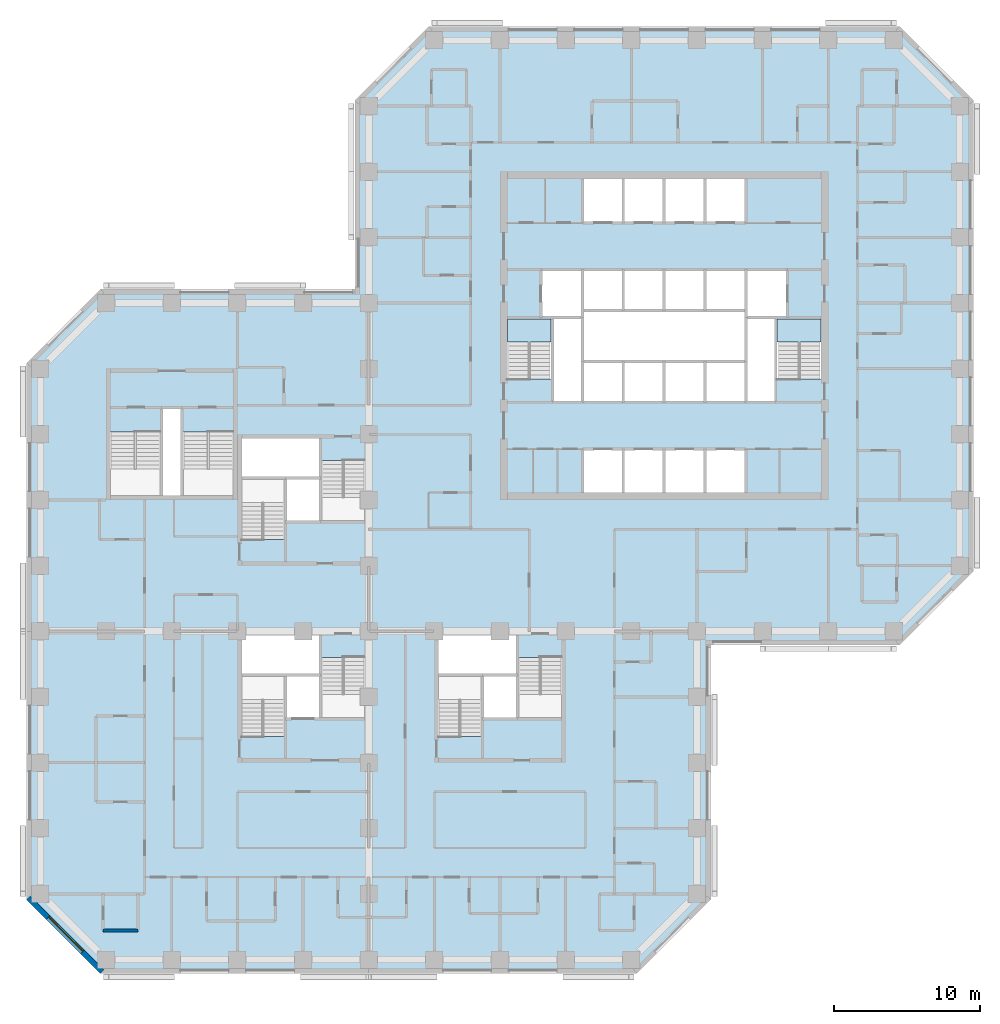
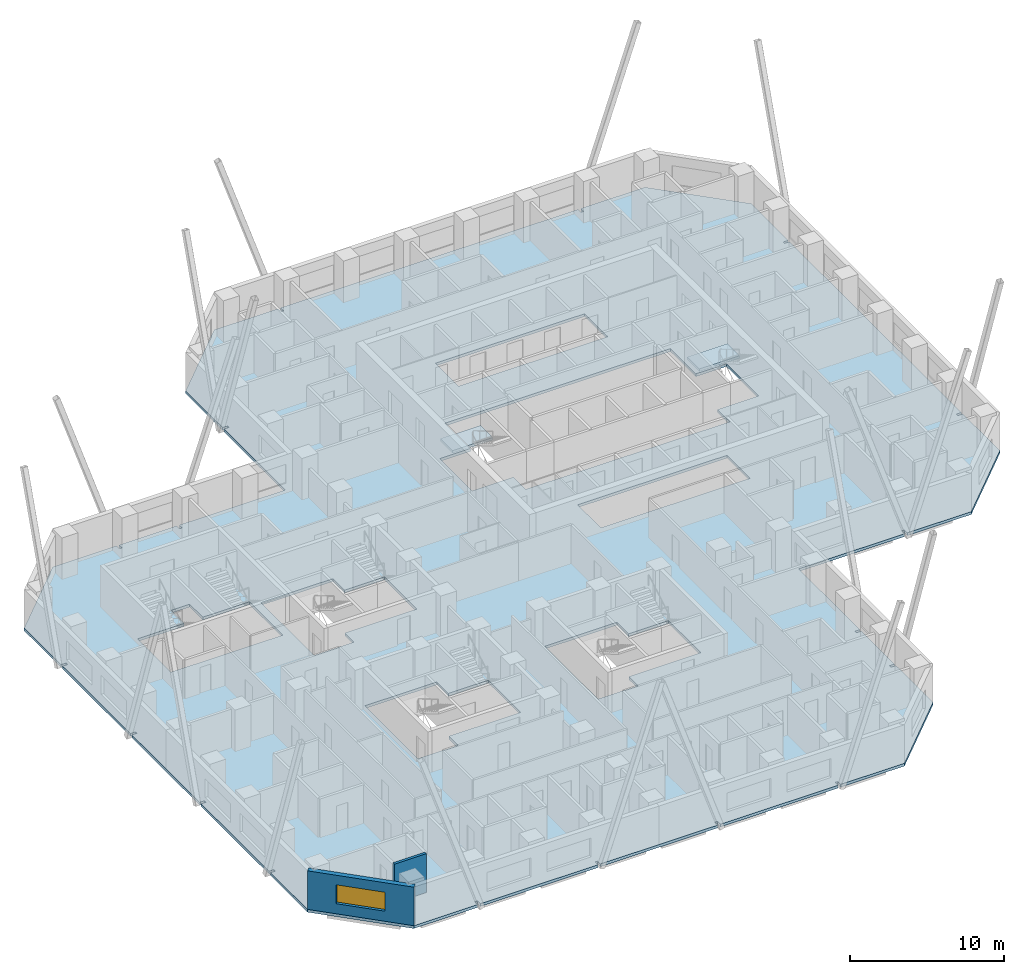
# One storey, part 2 of 13: 3 slabs, 2 walls, 1 window, 1 opening, 2 elements without a shape of their own.
"""IFC4 building model written with IfcOpenShell, lengths in metres."""

import ifcopenshell
import ifcopenshell.guid

model = None  # the IFC model being written
_history = None  # IfcOwnerHistory: only IFC2X3 demands one
_inside = {}  # id of a spatial element -> (the spatial element, [elements in it])
_under = {}  # id of a project, library or spatial element -> (it, [spatial elements below it])
_declared = {}  # id of a project -> (the project, [libraries it declares])
_typed = {}  # id of a type object -> (the type object, [elements of that type])
_made_of = {}  # id of a material, layer set ... -> (it, [elements and type objects made of it])


def new_model(schema):
    """Start an empty IFC model of exactly this schema.

    Asked for "IFC4X3", IfcOpenShell would pick the latest addendum, in which some entities
    have other attributes; the version numbers below select the first issue.
    IFC2X3 requires an IfcOwnerHistory on every rooted entity: one is made here for all.
    """
    global model, _history
    if schema == "IFC4X3":
        model = ifcopenshell.file(schema_version=(4, 3, 0, 0))
    else:
        model = ifcopenshell.file(schema=schema)
    _inside.clear()
    _under.clear()
    _declared.clear()
    _typed.clear()
    _made_of.clear()
    _history = None
    if model.schema == "IFC2X3":
        org = make("IfcOrganization", Name="unknown")
        user = make(
            "IfcPersonAndOrganization",
            ThePerson=make("IfcPerson", FamilyName="unknown"),
            TheOrganization=org,
        )
        app = make(
            "IfcApplication",
            ApplicationDeveloper=org,
            Version="unknown",
            ApplicationFullName="unknown",
            ApplicationIdentifier="unknown",
        )
        _history = make(
            "IfcOwnerHistory",
            OwningUser=user,
            OwningApplication=app,
            ChangeAction="ADDED",
            CreationDate=0,
        )
    return model


def make(cls, **values):
    """One entity of the class cls with the attributes given. An attribute that is None is left unset."""
    return model.create_entity(
        cls, **{name: value for name, value in values.items() if value is not None}
    )


def rooted(cls, **values):
    """An entity with a GlobalId (a new one), such as an element, a storey or a relation."""
    return make(cls, GlobalId=ifcopenshell.guid.new(), OwnerHistory=_history, **values)


def si_unit(unit_type, name, prefix=None):
    """IfcSIUnit, for example si_unit("LENGTHUNIT", "METRE", prefix="MILLI")."""
    return make("IfcSIUnit", UnitType=unit_type, Prefix=prefix, Name=name)


def assignment(units):
    """IfcUnitAssignment: the units of a project."""
    return None if units is None else make("IfcUnitAssignment", Units=units)


def point(xyz):
    """IfcCartesianPoint."""
    return None if xyz is None else make("IfcCartesianPoint", Coordinates=xyz)


def direction(xyz):
    """IfcDirection."""
    return None if xyz is None else make("IfcDirection", DirectionRatios=xyz)


def frame(location, z_axis=None, x_axis=None):
    """IfcAxis2Placement3D, a coordinate frame: its origin and axes. An axis left out is left unset."""
    return make(
        "IfcAxis2Placement3D",
        Location=point(location),
        Axis=direction(z_axis),
        RefDirection=direction(x_axis),
    )


def frame_2d(location, x_axis=None):
    """IfcAxis2Placement2D, a coordinate frame in the plane: its origin and x axis."""
    return make(
        "IfcAxis2Placement2D", Location=point(location), RefDirection=direction(x_axis)
    )


def origin():
    """The frame at (0, 0, 0) with its axes left unset."""
    return frame((0.0, 0.0, 0.0))


def place(relative_to, where):
    """IfcLocalPlacement: puts the frame where relative to a parent placement (None: the world)."""
    return make(
        "IfcLocalPlacement", PlacementRelTo=relative_to, RelativePlacement=where
    )


def context(
    kind, dimensions, precision=None, world=None, true_north=None, identifier=None
):
    """IfcGeometricRepresentationContext, for example the 3D "Model" context."""
    return make(
        "IfcGeometricRepresentationContext",
        ContextIdentifier=identifier,
        ContextType=kind,
        CoordinateSpaceDimension=dimensions,
        Precision=precision,
        WorldCoordinateSystem=world,
        TrueNorth=true_north,
    )


def subcontext(parent, identifier, kind, view, scale=None):
    """IfcGeometricRepresentationSubContext, for example "Body" below "Model"."""
    return make(
        "IfcGeometricRepresentationSubContext",
        ContextIdentifier=identifier,
        ContextType=kind,
        ParentContext=parent,
        TargetScale=scale,
        TargetView=view,
    )


def project(units=None, contexts=None):
    """IfcProject with its units and contexts."""
    return rooted(
        "IfcProject",
        Name="project",
        RepresentationContexts=contexts,
        UnitsInContext=assignment(units),
    )


def spatial(cls, under=None, at=None, **own):
    """A site, building, storey or space (cls), placed at a placement, below another one or the project."""
    s = rooted(cls, ObjectPlacement=at, **own)
    if under is not None:
        _under.setdefault(under.id(), (under, []))[1].append(s)
    return s


def polyline(points):
    """IfcPolyline through the points."""
    return make("IfcPolyline", Points=[point(p) for p in points])


def profile(cls, at=None, kind="AREA", **sizes):
    """A parametric profile (cls). Its sizes go by their IFC names, for example OverallWidth=200.0."""
    return make(cls, ProfileType=kind, Position=at, **sizes)


def rectangle(**sizes):
    """IfcRectangleProfileDef."""
    return profile("IfcRectangleProfileDef", **sizes)


def outline(outer, holes=None, kind="AREA"):
    """IfcArbitraryClosedProfileDef: a profile drawn as a closed curve; with holes, ...WithVoids."""
    if holes is None:
        return make("IfcArbitraryClosedProfileDef", ProfileType=kind, OuterCurve=outer)
    return make(
        "IfcArbitraryProfileDefWithVoids",
        ProfileType=kind,
        OuterCurve=outer,
        InnerCurves=holes,
    )


def extrude(swept, where, along, depth):
    """IfcExtrudedAreaSolid: the profile swept, set in the frame where, extruded along a direction by depth."""
    return make(
        "IfcExtrudedAreaSolid",
        SweptArea=swept,
        Position=where,
        ExtrudedDirection=direction(along),
        Depth=depth,
    )


def shape(context_of_items, identifier, shape_type, items):
    """IfcShapeRepresentation: the items that make up one representation, for example the "Body"."""
    return make(
        "IfcShapeRepresentation",
        ContextOfItems=context_of_items,
        RepresentationIdentifier=identifier,
        RepresentationType=shape_type,
        Items=items,
    )


def material(Name=None, Category=None):
    """IfcMaterial."""
    return make("IfcMaterial", Name=Name, Category=Category)


def layer(
    of_material, thickness, ventilated=None, Name=None, Category=None, Priority=None
):
    """IfcMaterialLayer: one layer of a wall or slab, of a material (None: an air gap)."""
    return make(
        "IfcMaterialLayer",
        Material=of_material,
        LayerThickness=thickness,
        IsVentilated=ventilated,
        Name=Name,
        Category=Category,
        Priority=Priority,
    )


def layer_set(layers, Name=None):
    """IfcMaterialLayerSet."""
    return make("IfcMaterialLayerSet", MaterialLayers=layers, LayerSetName=Name)


def constituent(of_material, Name=None, Category=None, fraction=None):
    """IfcMaterialConstituent: one of the materials an element consists of."""
    return make(
        "IfcMaterialConstituent",
        Name=Name,
        Material=of_material,
        Fraction=fraction,
        Category=Category,
    )


def constituent_set(constituents=None, Name=None):
    """IfcMaterialConstituentSet."""
    return make(
        "IfcMaterialConstituentSet", Name=Name, MaterialConstituents=constituents
    )


def made_of(thing, what):
    """Note that an element or type object is made of a material, layer set ...; save() writes the relation."""
    if what is not None:
        _made_of.setdefault(what.id(), (what, []))[1].append(thing)
    return thing


def type_object(cls, material=None, **own):
    """A type object (cls), such as IfcWallType, which elements share."""
    return made_of(rooted(cls, **own), material)


def element(
    cls,
    number,
    at=None,
    inside=None,
    cuts=None,
    type_object=None,
    material=None,
    context=None,
    identifier="Body",
    shape_type=None,
    held_by="IfcProductDefinitionShape",
    body=None,
    shapes=None,
    **own,
):
    """One element of the class cls, such as IfcWall. Its Tag is "e" and its number.

    at: its placement. inside: the storey or other place that contains it. cuts: it is an
    opening in that element (IfcRelVoidsElement). A single representation is given by context,
    identifier, shape_type and body (its items); several are given by shapes. held_by: the class
    of the entity that holds the representations. save() writes the other relations.
    """
    e = rooted(cls, Tag="e%d" % number, ObjectPlacement=at, **own)
    if body is not None:
        shapes = [shape(context, identifier, shape_type, body)]
    if shapes is not None:
        e.Representation = make(held_by, Representations=shapes)
    if inside is not None:
        _inside.setdefault(inside.id(), (inside, []))[1].append(e)
    if cuts is not None:
        rooted(
            "IfcRelVoidsElement", RelatingBuildingElement=cuts, RelatedOpeningElement=e
        )
    if type_object is not None:
        _typed.setdefault(type_object.id(), (type_object, []))[1].append(e)
    return made_of(e, material)


def fill(opening, filler):
    """IfcRelFillsElement: the door or window that sits in an opening."""
    return rooted(
        "IfcRelFillsElement",
        RelatingOpeningElement=opening,
        RelatedBuildingElement=filler,
    )


def aggregate(whole, parts):
    """IfcRelAggregates: a whole, such as a stair, and the parts it consists of."""
    return rooted("IfcRelAggregates", RelatingObject=whole, RelatedObjects=parts)


def save(model, path):
    """Write the relations noted so far, then the file.

    IfcRelAggregates (storeys below a building ...), IfcRelContainedInSpatialStructure (elements
    in a storey), IfcRelDefinesByType, IfcRelAssociatesMaterial and IfcRelDeclares: one each for
    every whole, place, type object, material and project.
    """
    for whole, parts in _under.values():
        aggregate(whole, parts)
    for where, things in _inside.values():
        rooted(
            "IfcRelContainedInSpatialStructure",
            RelatedElements=things,
            RelatingStructure=where,
        )
    for kind, things in _typed.values():
        rooted("IfcRelDefinesByType", RelatedObjects=things, RelatingType=kind)
    for what, things in _made_of.values():
        rooted("IfcRelAssociatesMaterial", RelatedObjects=things, RelatingMaterial=what)
    for by, libraries in _declared.values():
        rooted("IfcRelDeclares", RelatingContext=by, RelatedDefinitions=libraries)
    model.write(path)


model = new_model("IFC4")

# Units and contexts
model_context = context("Model", 3, precision=1e-05, world=origin(), true_north=direction((0.0, 1.0)))
body_context = subcontext(model_context, "Body", "Model", "MODEL_VIEW")
ifc_project = project(units=[si_unit("LENGTHUNIT", "METRE"), si_unit("AREAUNIT", "SQUARE_METRE"), si_unit("VOLUMEUNIT", "CUBIC_METRE"), si_unit("PLANEANGLEUNIT", "RADIAN"), si_unit("MASSUNIT", "GRAM", prefix="KILO")], contexts=[model_context])

# Site, building, storey
site_placement = place(None, origin())
site = spatial("IfcSite", under=ifc_project, at=site_placement, CompositionType="ELEMENT")
building_placement = place(site_placement, origin())
building = spatial("IfcBuilding", under=site, at=building_placement, Name="Quoin Convention Tower", CompositionType="ELEMENT")
storey_placement = place(building_placement, frame((0.0, 0.0, 52.800048828125)))
storey = spatial("IfcBuildingStorey", under=building, at=storey_placement, Name="L13", CompositionType="ELEMENT", Elevation=52.800048828125)

# Slab
ifc_material_1 = material(Name="Concrete C50", Category="concrete")
ifc_layer_1 = layer(ifc_material_1, 0.219970703125)
ifc_layer_set_1 = layer_set([ifc_layer_1], Name="Concrete C50")
slab_type_1 = type_object("IfcSlabType", Name="RC SLAB 220 C50", PredefinedType="FLOOR", material=ifc_layer_set_1)
slab_1_placement = place(storey_placement, frame((0.0, 0.0, -0.219970703125)))
element("IfcSlab", 1, at=slab_1_placement, inside=storey, type_object=slab_type_1, Name="slb-L13", PredefinedType="FLOOR", context=body_context, shape_type="SweptSolid", body=[
    extrude(outline(polyline([(17.6064453125, 63.949951171875), (22.405029296875, 63.949951171875), (22.405029296875, 63.580078125), (22.594970703125, 63.580078125), (22.594970703125, 63.949951171875), (26.905029296875, 63.949951171875), (26.905029296875, 63.580078125), (27.094970703125, 63.580078125), (27.094970703125, 63.949951171875), (35.050048828125, 63.949951171875), (35.050048828125, 71.905029296875), (35.419921875, 71.905029296875), (35.419921875, 72.094970703125), (35.050048828125, 72.094970703125), (35.050048828125, 76.8935546875), (40.1064453125, 81.949951171875), (44.905029296875, 81.949951171875), (44.905029296875, 81.580078125), (45.094970703125, 81.580078125), (45.094970703125, 81.949951171875), (67.405029296875, 81.949951171875), (67.405029296875, 81.580078125), (67.594970703125, 81.580078125), (67.594970703125, 81.949951171875), (72.3935546875, 81.949951171875), (77.449951171875, 76.8935546875), (77.449951171875, 72.094970703125), (77.080078125, 72.094970703125), (77.080078125, 71.905029296875), (77.449951171875, 71.905029296875), (77.449951171875, 49.594970703125), (77.080078125, 49.594970703125), (77.080078125, 49.405029296875), (77.449951171875, 49.405029296875), (77.449951171875, 44.6064453125), (72.3935546875, 39.550048828125), (67.594970703125, 39.550048828125), (67.594970703125, 39.919921875), (67.405029296875, 39.919921875), (67.405029296875, 39.550048828125), (59.449951171875, 39.550048828125), (59.449951171875, 31.594970703125), (59.080078125, 31.594970703125), (59.080078125, 31.405029296875), (59.449951171875, 31.405029296875), (59.449951171875, 27.094970703125), (59.080078125, 27.094970703125), (59.080078125, 26.905029296875), (59.449951171875, 26.905029296875), (59.449951171875, 22.1064453125), (54.3935546875, 17.050048828125), (49.594970703125, 17.050048828125), (49.594970703125, 17.419921875), (49.405029296875, 17.419921875), (49.405029296875, 17.050048828125), (40.594970703125, 17.050048828125), (40.594970703125, 17.419921875), (40.405029296875, 17.419921875), (40.405029296875, 17.050048828125), (31.594970703125, 17.050048828125), (31.594970703125, 17.419921875), (31.405029296875, 17.419921875), (31.405029296875, 17.050048828125), (22.594970703125, 17.050048828125), (22.594970703125, 17.419921875), (22.405029296875, 17.419921875), (22.405029296875, 17.050048828125), (17.6064453125, 17.050048828125), (12.550048828125, 22.1064453125), (12.550048828125, 26.905029296875), (12.919921875, 26.905029296875), (12.919921875, 27.094970703125), (12.550048828125, 27.094970703125), (12.550048828125, 35.905029296875), (12.919921875, 35.905029296875), (12.919921875, 36.094970703125), (12.550048828125, 36.094970703125), (12.550048828125, 44.905029296875), (12.919921875, 44.905029296875), (12.919921875, 45.094970703125), (12.550048828125, 45.094970703125), (12.550048828125, 53.905029296875), (12.919921875, 53.905029296875), (12.919921875, 54.094970703125), (12.550048828125, 54.094970703125), (12.550048828125, 58.8935546875), (17.6064453125, 63.949951171875)]), holes=[polyline([(30.300048828125, 34.5), (32.699951171875, 34.5), (35.699951171875, 34.5), (35.699951171875, 38.699462890625), (32.699951171875, 38.699462890625), (32.699951171875, 40.199951171875), (27.300048828125, 40.199951171875), (27.300048828125, 37.5), (27.300048828125, 33.300537109375), (30.300048828125, 33.300537109375), (30.300048828125, 34.5)]), polyline([(43.800048828125, 34.5), (46.199951171875, 34.5), (49.199951171875, 34.5), (49.199951171875, 38.699462890625), (46.199951171875, 38.699462890625), (46.199951171875, 40.199951171875), (40.800048828125, 40.199951171875), (40.800048828125, 37.5), (40.800048828125, 33.300537109375), (43.800048828125, 33.300537109375), (43.800048828125, 34.5)]), polyline([(30.300048828125, 46.800537109375), (30.300048828125, 48.0), (32.699951171875, 48.0), (35.699951171875, 48.0), (35.699951171875, 52.199462890625), (32.699951171875, 52.199462890625), (32.699951171875, 53.699951171875), (27.300048828125, 53.699951171875), (27.300048828125, 51.0), (27.300048828125, 46.800537109375), (30.300048828125, 46.800537109375)]), polyline([(56.25, 50.0), (59.050048828125, 50.0), (61.85009765625, 50.0), (61.85009765625, 53.0), (59.050048828125, 53.0), (56.25, 53.0), (53.449951171875, 53.0), (50.64990234375, 53.0), (50.64990234375, 50.0), (53.449951171875, 50.0), (56.25, 50.0)]), polyline([(26.699951171875, 49.800048828125), (26.699951171875, 54.1494140625), (23.199951171875, 54.1494140625), (23.199951171875, 55.85009765625), (21.800048828125, 55.85009765625), (21.800048828125, 54.1494140625), (18.300048828125, 54.1494140625), (18.300048828125, 49.800048828125), (21.800048828125, 49.800048828125), (23.199951171875, 49.800048828125), (26.699951171875, 49.800048828125)]), polyline([(48.60009765625, 57.800537109375), (48.60009765625, 56.199951171875), (50.64990234375, 56.199951171875), (53.449951171875, 56.199951171875), (56.25, 56.199951171875), (59.050048828125, 56.199951171875), (61.85009765625, 56.199951171875), (63.89990234375, 56.199951171875), (63.89990234375, 57.800537109375), (67.0, 57.800537109375), (67.0, 62.0), (64.699951171875, 62.0), (64.699951171875, 65.300048828125), (61.85009765625, 65.300048828125), (59.050048828125, 65.300048828125), (56.25, 65.300048828125), (53.449951171875, 65.300048828125), (50.64990234375, 65.300048828125), (47.800048828125, 65.300048828125), (47.800048828125, 62.0), (45.5, 62.0), (45.5, 57.800537109375), (48.60009765625, 57.800537109375)]), polyline([(61.85009765625, 68.5), (61.85009765625, 71.5), (59.050048828125, 71.5), (56.25, 71.5), (53.449951171875, 71.5), (50.64990234375, 71.5), (50.64990234375, 68.5), (53.449951171875, 68.5), (56.25, 68.5), (59.050048828125, 68.5), (61.85009765625, 68.5)])]), origin(), (0.0, 0.0, 1.0), 0.219970703125),
])

# Stair, slab
ifc_material_2 = material(Name="Concrete C40", Category="concrete")
stair_type = type_object("IfcStairType", Name="Exit stair two-flight 1350", PredefinedType="HALF_TURN_STAIR", material=ifc_material_2)
stair_1_placement = place(storey_placement, origin())
stair_1 = element("IfcStair", 2, at=stair_1_placement, inside=storey, type_object=stair_type, Name="SD1 L13", PredefinedType="HALF_TURN_STAIR")
ifc_layer_2 = layer(ifc_material_2, 0.199951171875)
ifc_layer_set_2 = layer_set([ifc_layer_2], Name="Concrete C40")
slab_type_2 = type_object("IfcSlabType", Name="Stair landing 200", PredefinedType="LANDING", material=ifc_layer_set_2)
slab_2_placement = place(storey_placement, frame((0.0, 0.0, 1.449951171875)))
slab_2 = element("IfcSlab", 3, at=slab_2_placement, type_object=slab_type_2, Name="ST1 landing 1", PredefinedType="LANDING", context=body_context, shape_type="SweptSolid", body=[
    extrude(outline(polyline([(45.5, 60.320068359375), (48.5, 60.320068359375), (48.5, 61.89990234375), (45.5, 61.89990234375), (45.5, 60.320068359375)])), origin(), (0.0, 0.0, 1.0), 0.199951171875),
])
aggregate(stair_1, [slab_2])

stair_2_placement = place(storey_placement, origin())
stair_2 = element("IfcStair", 4, at=stair_2_placement, inside=storey, type_object=stair_type, Name="SD2 L13", PredefinedType="HALF_TURN_STAIR")
slab_3_placement = place(storey_placement, frame((0.0, 0.0, 1.449951171875)))
slab_3 = element("IfcSlab", 5, at=slab_3_placement, type_object=slab_type_2, Name="ST2 landing 1", PredefinedType="LANDING", context=body_context, shape_type="SweptSolid", body=[
    extrude(outline(polyline([(64.0, 60.320068359375), (67.0, 60.320068359375), (67.0, 61.89990234375), (64.0, 61.89990234375), (64.0, 60.320068359375)])), origin(), (0.0, 0.0, 1.0), 0.199951171875),
])
aggregate(stair_2, [slab_3])

# Wall, opening, window
ifc_material_3 = material(Name="Brick masonry", Category="masonry")
ifc_layer_3 = layer(ifc_material_3, 0.35009765625)
ifc_layer_set_3 = layer_set([ifc_layer_3], Name="Brick masonry")
wall_type_1 = type_object("IfcWallType", Name="Brick facade wall", PredefinedType="STANDARD", material=ifc_layer_set_3)
wall_1_placement = place(storey_placement, frame((12.673583984375, 22.230224609375, 0.0), z_axis=(0.0, 0.0, 1.0), x_axis=(0.707106781187, -0.707106781187, 0.0)))
wall_1 = element("IfcWall", 6, at=wall_1_placement, inside=storey, type_object=wall_type_1, Name="fw-L13-13500_22500", PredefinedType="STANDARD", context=body_context, shape_type="SweptSolid", body=[
    extrude(rectangle(XDim=7.151123046875, YDim=0.35009765625, at=frame_2d((3.57568359375, 0.0))), origin(), (0.0, 0.0, 1.0), 3.054931640625),
])
opening_placement = place(wall_1_placement, frame((1.925537109375, 0.0, 0.800048828125)))
opening = element("IfcOpeningElement", 7, at=opening_placement, cuts=wall_1, Name="Opening W-01", PredefinedType="OPENING", context=body_context, shape_type="SweptSolid", body=[
    extrude(rectangle(XDim=3.300048828125, YDim=1.5, at=frame_2d((1.64990234375, 0.75))), frame((0.0, 0.18505859375, 0.0), z_axis=(0.0, -1.0, 0.0), x_axis=(1.0, 0.0, 0.0)), (0.0, 0.0, 1.0), 0.3701171875),
])
ifc_material_4 = material(Name="Aluminium", Category="aluminium")
ifc_constituent_1 = constituent(ifc_material_4, Name="Frame")
ifc_material_5 = material(Name="Insulated glass", Category="glass")
ifc_constituent_2 = constituent(ifc_material_5, Name="Glazing")
ifc_constituent_set = constituent_set(constituents=[ifc_constituent_1, ifc_constituent_2], Name="Aluminium")
window_type = type_object("IfcWindowType", Name="Hotel strip window", PartitioningType="DOUBLE_PANEL_VERTICAL", PredefinedType="WINDOW", material=ifc_constituent_set)
window_placement = place(opening_placement, origin())
window = element("IfcWindow", 8, at=window_placement, inside=storey, type_object=window_type, Name="win-L13-15202_19702", OverallHeight=1.5, OverallWidth=3.300048828125, PartitioningType="SINGLE_PANEL", PredefinedType="WINDOW", context=body_context, shape_type="SweptSolid", body=[
    extrude(rectangle(XDim=3.300048828125, YDim=1.5, at=frame_2d((1.64990234375, 0.75))), frame((0.0, 0.0849609375, 0.0), z_axis=(0.0, -1.0, 0.0), x_axis=(1.0, 0.0, 0.0)), (0.0, 0.0, 1.0), 0.06005859375),
])
fill(opening, window)

# Wall
ifc_layer_4 = layer(ifc_material_1, 0.199951171875)
ifc_layer_set_4 = layer_set([ifc_layer_4], Name="Concrete C50")
wall_type_2 = type_object("IfcWallType", Name="RC party wall", PredefinedType="SOLIDWALL", material=ifc_layer_set_4)
wall_2_placement = place(storey_placement, frame((17.800048828125, 20.0, 0.0), z_axis=(0.0, 0.0, 1.0), x_axis=(1.0, 0.0, 0.0)))
element("IfcWall", 9, at=wall_2_placement, inside=storey, type_object=wall_type_2, Name="pw-L13-044", PredefinedType="SOLIDWALL", context=body_context, shape_type="SweptSolid", body=[
    extrude(rectangle(XDim=2.39990234375, YDim=0.199951171875, at=frame_2d((1.199951171875, 0.0))), origin(), (0.0, 0.0, 1.0), 3.079833984375),
])

save(model, "model.ifc")
